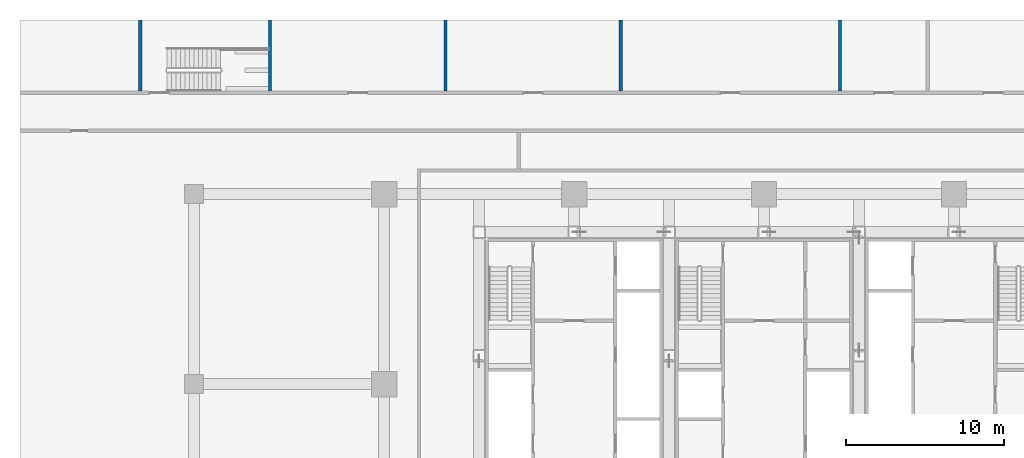
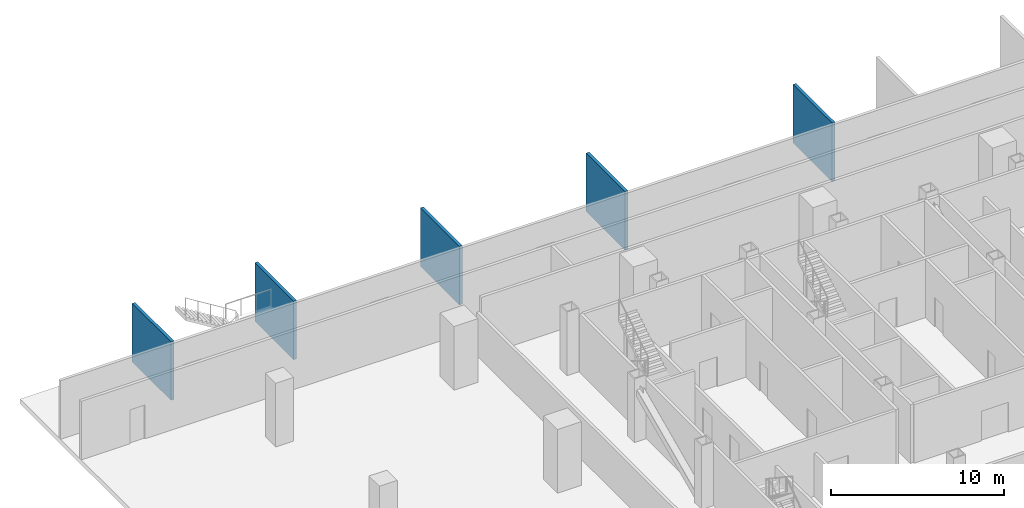
# One storey, part 8 of 15: 5 walls.
"""IFC4 building model written with IfcOpenShell, lengths in metres."""

from ifc_helpers import new_model, si_unit, direction, frame, frame_2d, origin, place, context, subcontext, project, spatial, rectangle, extrude, material, layer, layer_set, type_object, element, save


model = new_model("IFC4")

# Units and contexts
model_context = context("Model", 3, precision=1e-05, world=origin(), true_north=direction((0.0, 1.0)))
body_context = subcontext(model_context, "Body", "Model", "MODEL_VIEW")
ifc_project = project(units=[si_unit("LENGTHUNIT", "METRE"), si_unit("AREAUNIT", "SQUARE_METRE"), si_unit("VOLUMEUNIT", "CUBIC_METRE"), si_unit("PLANEANGLEUNIT", "RADIAN"), si_unit("MASSUNIT", "GRAM", prefix="KILO")], contexts=[model_context])

# Site, building, storey
site_placement = place(None, origin())
site = spatial("IfcSite", under=ifc_project, at=site_placement, CompositionType="ELEMENT")
building_placement = place(site_placement, origin())
building = spatial("IfcBuilding", under=site, at=building_placement, Name="Sorahane Residences", CompositionType="ELEMENT")
storey_placement = place(building_placement, frame((0.0, 0.0, -9.0)))
storey = spatial("IfcBuildingStorey", under=building, at=storey_placement, Name="B2", CompositionType="ELEMENT", Elevation=-9.0)

# Walls
ifc_material_1 = material(Name="Concrete blockwork C20 wall", Category="masonry")
ifc_layer_1 = layer(ifc_material_1, 0.199951171875)
ifc_layer_set_1 = layer_set([ifc_layer_1], Name="Fire wall 200 EI 120")
wall_type_1 = type_object("IfcWallType", Name="Fire wall 200 EI 120", PredefinedType="SOLIDWALL", material=ifc_layer_set_1)
wall_1_placement = place(storey_placement, frame((-15.39990234375, 54.5, 0.0), z_axis=(0.0, 0.0, 1.0), x_axis=(0.0, 1.0, 0.0)))
element("IfcWall", 1, at=wall_1_placement, inside=storey, type_object=wall_type_1, Name="B2 fire wall", PredefinedType="SOLIDWALL", context=body_context, shape_type="SweptSolid", body=[
    extrude(rectangle(XDim=4.5, YDim=0.199951171875, at=frame_2d((2.25, 0.0))), origin(), (0.0, 0.0, 1.0), 4.139892578125),
])
ifc_material_2 = material(Name="Concrete blockwork C20 wall", Category="masonry")
ifc_layer_2 = layer(ifc_material_2, 0.199951171875)
ifc_layer_set_2 = layer_set([ifc_layer_2], Name="Plant wall 200 EI 120")
wall_type_2 = type_object("IfcWallType", Name="Plant wall 200 EI 120", PredefinedType="SOLIDWALL", material=ifc_layer_set_2)
for number, where, z_axis, x_axis, name in (
    (2, (3.8759765625, 54.5, 0.0), (0.0, 0.0, 1.0), (0.0, 1.0, 0.0), "B2 plant wall"),
    (3, (14.95166015625, 54.5, 0.0), (0.0, 0.0, 1.0), (0.0, 1.0, 0.0), "B2 plant wall"),
    (4, (28.796630859375, 54.5, 0.0), (0.0, 0.0, 1.0), (0.0, 1.0, 0.0), "B2 plant wall"),
):
    element("IfcWall", number, at=place(storey_placement, frame(where, z_axis=z_axis, x_axis=x_axis)), inside=storey, type_object=wall_type_2, Name=name, PredefinedType="SOLIDWALL", context=body_context, shape_type="SweptSolid", body=[
        extrude(rectangle(XDim=4.5, YDim=0.199951171875, at=frame_2d((2.25, 0.0))), origin(), (0.0, 0.0, 1.0), 4.139892578125),
    ])
ifc_material_3 = material(Name="Concrete C30", Category="concrete")
ifc_layer_3 = layer(ifc_material_3, 0.199951171875)
ifc_layer_set_3 = layer_set([ifc_layer_3], Name="Stair enclosure wall 200 EI 120")
wall_type_3 = type_object("IfcWallType", Name="Stair enclosure wall 200 EI 120", PredefinedType="SOLIDWALL", material=ifc_layer_set_3)
wall_2_placement = place(storey_placement, frame((-7.199951171875, 54.5, 0.0), z_axis=(0.0, 0.0, 1.0), x_axis=(0.0, 1.0, 0.0)))
element("IfcWall", 5, at=wall_2_placement, inside=storey, type_object=wall_type_3, Name="B2 fire wall", PredefinedType="SOLIDWALL", context=body_context, shape_type="SweptSolid", body=[
    extrude(rectangle(XDim=4.5, YDim=0.199951171875, at=frame_2d((2.25, 0.0))), origin(), (0.0, 0.0, 1.0), 4.139892578125),
])

save(model, "model.ifc")
